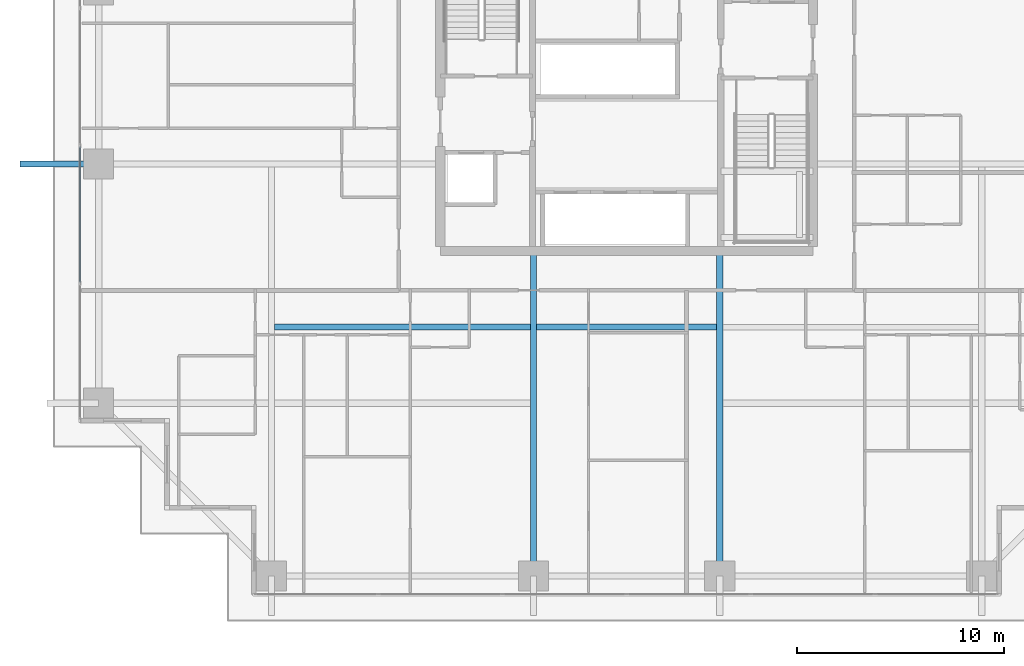
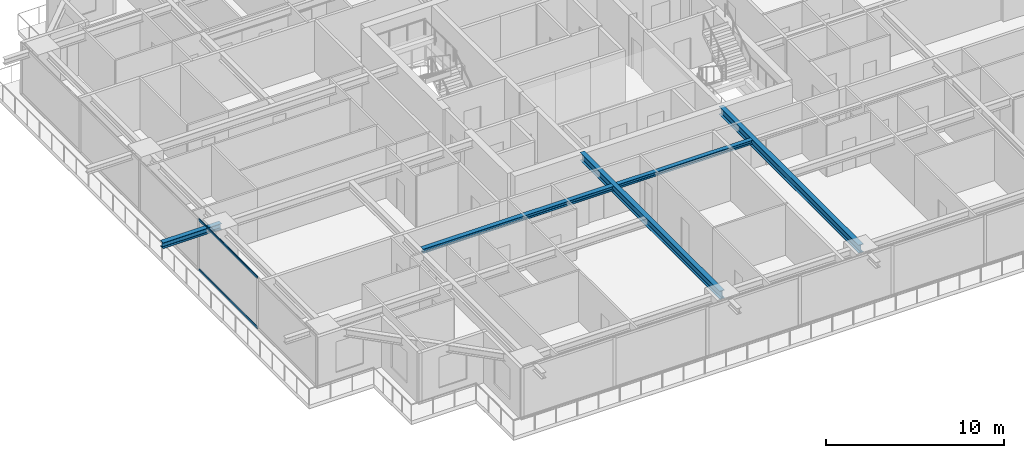
# One storey, part 6 of 38: 5 beams, 2 members, 1 element without a shape of its own.
"""IFC4 building model written with IfcOpenShell, lengths in metres."""

from ifc_helpers import new_model, si_unit, direction, frame, origin, origin_2d, place, context, subcontext, project, spatial, hollow_rectangle, i_section, extrude, source, transform, mapped, material, layer, layer_set, material_profile, profile_set, type_object, element, aggregate, save


model = new_model("IFC4")

# Units and contexts
model_context = context("Model", 3, precision=1e-05, world=origin(), true_north=direction((0.0, 1.0)))
body_context = subcontext(model_context, "Body", "Model", "MODEL_VIEW")
ifc_project = project(units=[si_unit("LENGTHUNIT", "METRE"), si_unit("AREAUNIT", "SQUARE_METRE"), si_unit("VOLUMEUNIT", "CUBIC_METRE"), si_unit("PLANEANGLEUNIT", "RADIAN"), si_unit("MASSUNIT", "GRAM", prefix="KILO")], contexts=[model_context])

# Site, building, storey
site_placement = place(None, origin())
site = spatial("IfcSite", under=ifc_project, at=site_placement, CompositionType="ELEMENT")
building_placement = place(site_placement, origin())
building = spatial("IfcBuilding", under=site, at=building_placement, Name="Serunith Strait Residences", CompositionType="ELEMENT")
storey_placement = place(building_placement, frame((0.0, 0.0, 82.949951171875)))
storey = spatial("IfcBuildingStorey", under=building, at=storey_placement, Name="L20", CompositionType="ELEMENT", Elevation=82.949951171875)

# Beams
ifc_material_1 = material(Name="Steel S355J2", Category="steel")
ifc_material_profile_1 = material_profile(ifc_material_1, i_section(OverallWidth=0.300048828125, OverallDepth=0.550048828125, WebThickness=0.014892578125, FlangeThickness=0.029052734375, FilletRadius=0.027099609375, at=origin_2d()), Name="HEB 550")
ifc_profile_set_1 = profile_set([ifc_material_profile_1], Name="Steel S355J2")
beam_type_1 = type_object("IfcBeamType", Name="BM-HEB550", PredefinedType="BEAM", material=ifc_profile_set_1)
shared_shape_1 = source(origin(), body_context, "Body", "SweptSolid", [
    extrude(i_section(OverallWidth=0.300048828125, OverallDepth=0.550048828125, WebThickness=0.014892578125, FlangeThickness=0.029052734375, FilletRadius=0.027099609375, at=origin_2d()), origin(), (0.0, 0.0, 1.0), 15.699951171875),
])
for number, where, z_axis, x_axis, name in (
    (1, (27.89990234375, 16.800048828125, 3.212158203125), (0.0, -1.0, 0.0), (1.0, 0.0, 0.0), "L20 Primary Floor Girder TC-S2"),
    (2, (36.89990234375, 16.800048828125, 3.212158203125), (0.0, -1.0, 0.0), (1.0, 0.0, 0.0), "L20 Primary Floor Girder TC-S3"),
):
    element("IfcBeam", number, at=place(storey_placement, frame(where, z_axis=z_axis, x_axis=x_axis)), inside=storey, type_object=beam_type_1, Name=name, PredefinedType="BEAM", context=body_context, shape_type="MappedRepresentation", body=[
        mapped(shared_shape_1, transform((0.0, 0.0, 0.0), scale=1.0)),
    ])
ifc_material_profile_2 = material_profile(ifc_material_1, i_section(OverallWidth=0.300048828125, OverallDepth=0.39990234375, WebThickness=0.013427734375, FlangeThickness=0.02392578125, FilletRadius=0.027099609375, at=origin_2d()), Name="HEB 400")
ifc_profile_set_2 = profile_set([ifc_material_profile_2], Name="Steel S355J2")
beam_type_2 = type_object("IfcBeamType", Name="BM-HEB400", PredefinedType="BEAM", material=ifc_profile_set_2)
shared_shape_2 = source(origin(), body_context, "Body", "SweptSolid", [
    extrude(i_section(OverallWidth=0.300048828125, OverallDepth=0.39990234375, WebThickness=0.013427734375, FlangeThickness=0.02392578125, FilletRadius=0.027099609375, at=origin_2d()), origin(), (0.0, 0.0, 1.0), 3.7998046875),
])
beam_1_placement = place(storey_placement, frame((6.89990234375, 21.0, 3.257080078125), z_axis=(-1.0, 0.0, 0.0), x_axis=(0.0, -1.0, 0.0)))
element("IfcBeam", 3, at=beam_1_placement, inside=storey, type_object=beam_type_2, Name="L21 Cantilevered Balcony Rib TC-W2", PredefinedType="BEAM", context=body_context, shape_type="MappedRepresentation", body=[
    mapped(shared_shape_2, transform((0.0, 0.0, 0.0), scale=1.0)),
])
ifc_material_profile_3 = material_profile(ifc_material_1, i_section(OverallWidth=0.300048828125, OverallDepth=0.300048828125, WebThickness=0.010986328125, FlangeThickness=0.01904296875, FilletRadius=0.027099609375, at=origin_2d()), Name="HEB 300")
ifc_profile_set_3 = profile_set([ifc_material_profile_3], Name="Steel S355J2")
beam_type_3 = type_object("IfcBeamType", Name="BM-HEB300", PredefinedType="JOIST", material=ifc_profile_set_3)
shared_shape_3 = source(origin(), body_context, "Body", "SweptSolid", [
    extrude(i_section(OverallWidth=0.300048828125, OverallDepth=0.300048828125, WebThickness=0.010986328125, FlangeThickness=0.01904296875, FilletRadius=0.027099609375, at=origin_2d()), origin(), (0.0, 0.0, 1.0), 12.35009765625),
])
beam_2_placement = place(storey_placement, frame((15.39990234375, 13.125, 3.337158203125), z_axis=(1.0, 0.0, 0.0), x_axis=(0.0, 1.0, 0.0)))
element("IfcBeam", 4, at=beam_2_placement, inside=storey, type_object=beam_type_3, Name="L20 Composite Floor Joist 01", PredefinedType="JOIST", context=body_context, shape_type="MappedRepresentation", body=[
    mapped(shared_shape_3, transform((0.0, 0.0, 0.0), scale=1.0)),
])
ifc_material_profile_4 = material_profile(ifc_material_1, i_section(OverallWidth=0.280029296875, OverallDepth=0.280029296875, WebThickness=0.010498046875, FlangeThickness=0.01806640625, FilletRadius=0.02392578125, at=origin_2d()), Name="HEB 280")
ifc_profile_set_4 = profile_set([ifc_material_profile_4], Name="Steel S355J2")
beam_type_4 = type_object("IfcBeamType", Name="BM-HEB280", PredefinedType="JOIST", material=ifc_profile_set_4)
shared_shape_4 = source(origin(), body_context, "Body", "SweptSolid", [
    extrude(i_section(OverallWidth=0.280029296875, OverallDepth=0.280029296875, WebThickness=0.010498046875, FlangeThickness=0.01806640625, FilletRadius=0.02392578125, at=origin_2d()), origin(), (0.0, 0.0, 1.0), 8.699951171875),
])
beam_3_placement = place(storey_placement, frame((28.050048828125, 13.125, 3.34716796875), z_axis=(1.0, 0.0, 0.0), x_axis=(0.0, 1.0, 0.0)))
element("IfcBeam", 5, at=beam_3_placement, inside=storey, type_object=beam_type_4, Name="L20 Composite Floor Joist 02", PredefinedType="JOIST", context=body_context, shape_type="MappedRepresentation", body=[
    mapped(shared_shape_4, transform((0.0, 0.0, 0.0), scale=1.0)),
])

# Curtain wall, members
ifc_material_2 = material(Name="Pale-Champagne Anodised Aluminium", Category="aluminium")
ifc_layer = layer(ifc_material_2, 0.199951171875, Name="Pale-Champagne Anodised Aluminium")
ifc_layer_set = layer_set([ifc_layer], Name="Pale-Champagne Anodised Aluminium")
curtain_wall_type = type_object("IfcCurtainWallType", Name="CW-SYS1", PredefinedType="NOTDEFINED", material=ifc_layer_set)
curtain_wall_placement = place(storey_placement, origin())
curtain_wall = element("IfcCurtainWall", 6, at=curtain_wall_placement, inside=storey, type_object=curtain_wall_type, Name="L20 W Unitised Fritted Curtain Wall", PredefinedType="NOTDEFINED")
ifc_material_profile_5 = material_profile(ifc_material_2, hollow_rectangle(XDim=0.06005859375, YDim=0.159912109375, WallThickness=0.00341796875, InnerFilletRadius=0.00537109375, OuterFilletRadius=0.0087890625, at=origin_2d()), Name="ALU 160x60x3.5")
ifc_profile_set_5 = profile_set([ifc_material_profile_5], Name="Pale-Champagne Anodised Aluminium")
member_type = type_object("IfcMemberType", Name="CW-SYS1-TRAN", PredefinedType="USERDEFINED", material=ifc_profile_set_5)
shared_shape_5 = source(origin(), body_context, "Body", "SweptSolid", [
    extrude(hollow_rectangle(XDim=0.06005859375, YDim=0.159912109375, WallThickness=0.00341796875, InnerFilletRadius=0.00537109375, OuterFilletRadius=0.0087890625, at=origin_2d()), origin(), (0.0, 0.0, 1.0), 6.570068359375),
])
member_1_placement = place(storey_placement, frame((6.0, 21.844970703125, 0.030029296875), z_axis=(0.0, -1.0, 0.0), x_axis=(1.0, 0.0, 0.0)))
member_1 = element("IfcMember", 7, at=member_1_placement, type_object=member_type, Name="CW-1 transom 4.1", ObjectType="TRANSOM", PredefinedType="USERDEFINED", context=body_context, shape_type="MappedRepresentation", body=[
    mapped(shared_shape_5, transform((0.0, 0.0, 0.0), scale=1.0)),
])
member_2_placement = place(storey_placement, frame((6.0, 21.844970703125, 3.445068359375), z_axis=(0.0, -1.0, 0.0), x_axis=(1.0, 0.0, 0.0)))
member_2 = element("IfcMember", 8, at=member_2_placement, type_object=member_type, Name="CW-1 transom 4.2", ObjectType="TRANSOM", PredefinedType="USERDEFINED", context=body_context, shape_type="MappedRepresentation", body=[
    mapped(shared_shape_5, transform((0.0, 0.0, 0.0), scale=1.0)),
])
aggregate(curtain_wall, [member_1, member_2])

save(model, "model.ifc")
